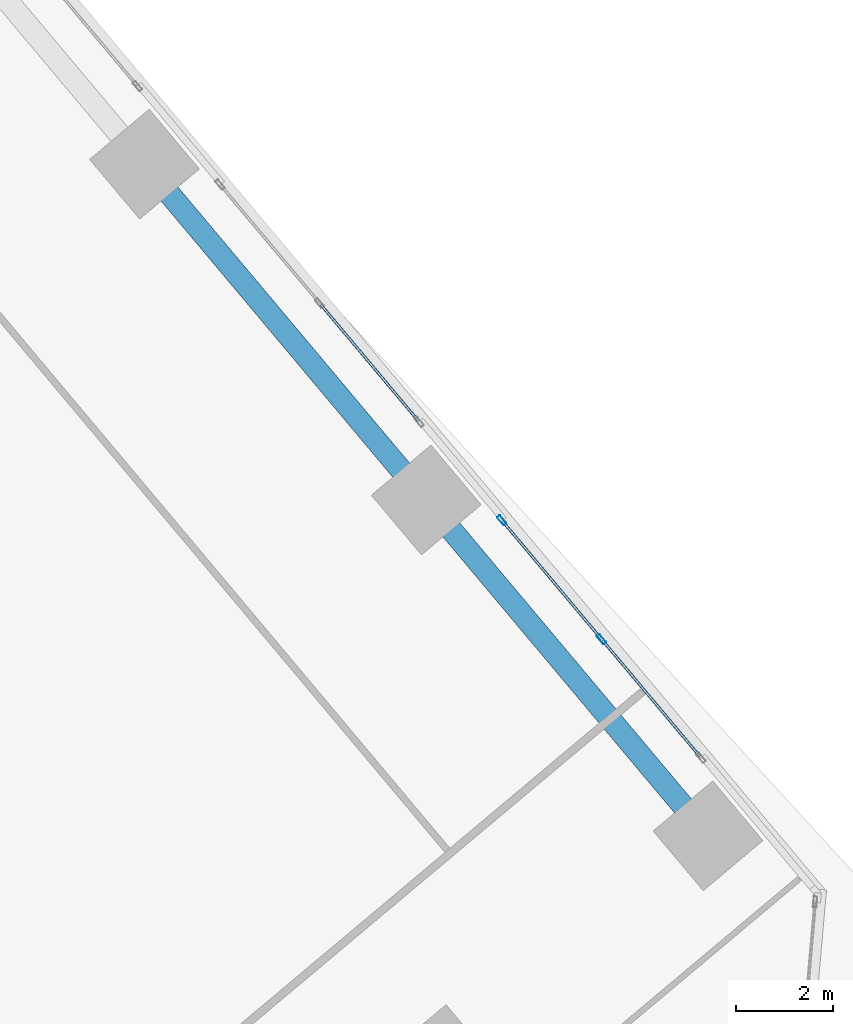
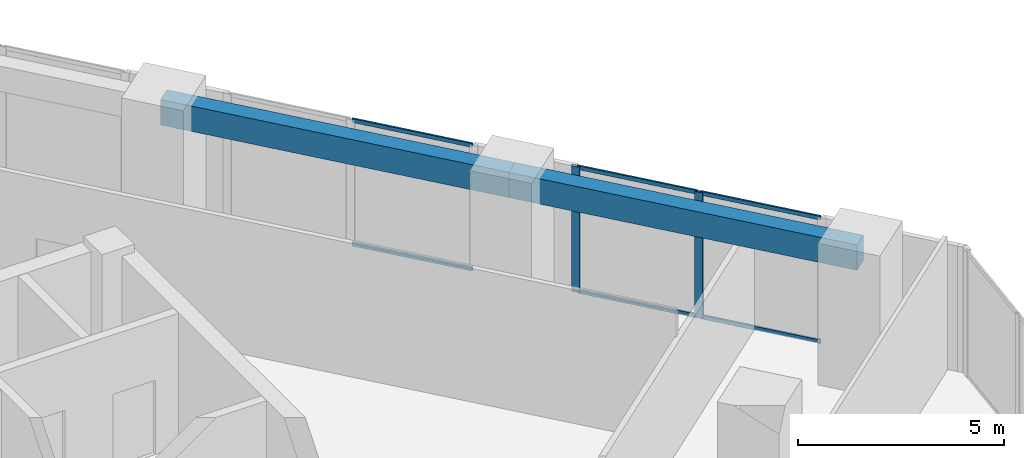
# One storey, part 7 of 17: 8 members, 2 beams, 2 elements without a shape of their own.
"""IFC4 building model written with IfcOpenShell, lengths in metres."""

from ifc_helpers import new_model, si_unit, direction, frame, origin, origin_2d, place, context, subcontext, project, spatial, rectangle, hollow_rectangle, extrude, source, transform, mapped, material, material_profile, profile_set, type_object, element, aggregate, save


model = new_model("IFC4")

# Units and contexts
model_context = context("Model", 3, precision=1e-05, world=origin(), true_north=direction((0.0, 1.0)))
body_context = subcontext(model_context, "Body", "Model", "MODEL_VIEW")
ifc_project = project(units=[si_unit("LENGTHUNIT", "METRE"), si_unit("AREAUNIT", "SQUARE_METRE"), si_unit("VOLUMEUNIT", "CUBIC_METRE"), si_unit("PLANEANGLEUNIT", "RADIAN"), si_unit("MASSUNIT", "GRAM", prefix="KILO")], contexts=[model_context])

# Site, building, storey
site_placement = place(None, origin())
site = spatial("IfcSite", under=ifc_project, at=site_placement, CompositionType="ELEMENT")
building_placement = place(site_placement, origin())
building = spatial("IfcBuilding", under=site, at=building_placement, Name="Torre Montelarca", CompositionType="ELEMENT")
storey_placement = place(building_placement, frame((0.0, 0.0, 266.800048828125)))
storey = spatial("IfcBuildingStorey", under=building, at=storey_placement, Name="L60", CompositionType="ELEMENT", Elevation=266.800048828125)

# Beams
ifc_material_1 = material(Name="Concrete C55/67", Category="concrete")
ifc_material_profile_1 = material_profile(ifc_material_1, rectangle(XDim=0.449951171875, YDim=0.75, at=origin_2d()), Name="RCB450X750", Category="concrete")
ifc_profile_set_1 = profile_set([ifc_material_profile_1], Name="Concrete C55/67")
beam_type = type_object("IfcBeamType", Name="BM-SP-RC750-EXT", PredefinedType="SPANDREL", material=ifc_profile_set_1)
shared_shape_1 = source(origin(), body_context, "Body", "SweptSolid", [
    extrude(rectangle(XDim=0.449951171875, YDim=0.75, at=origin_2d()), origin(), (0.0, 0.0, 1.0), 9.0),
])
beam_1_placement = place(storey_placement, frame((36.640869140625, 37.52490234375, 3.5849609375), z_axis=(0.64279820376, -0.766035553511, 0.0), x_axis=(0.766035553511, 0.64279820376, 0.0)))
element("IfcBeam", 1, at=beam_1_placement, inside=storey, type_object=beam_type, Name="L60 Grid Girder X 27.0-36.0 at Y=47.1", PredefinedType="SPANDREL", context=body_context, shape_type="MappedRepresentation", body=[
    mapped(shared_shape_1, transform((0.0, 0.0, 0.0), scale=1.0)),
])
shared_shape_2 = source(origin(), body_context, "Body", "SweptSolid", [
    extrude(rectangle(XDim=0.449951171875, YDim=0.75, at=origin_2d()), origin(), (0.0, 0.0, 1.0), 9.000244140625),
])
beam_2_placement = place(storey_placement, frame((30.855712890625, 44.41943359375, 3.5849609375), z_axis=(0.642784846501, -0.766046761698, 0.0), x_axis=(0.766046761698, 0.642784846501, 0.0)))
element("IfcBeam", 2, at=beam_2_placement, inside=storey, type_object=beam_type, Name="L60 Grid Girder X 18.0-27.0 at Y=47.1", PredefinedType="SPANDREL", context=body_context, shape_type="MappedRepresentation", body=[
    mapped(shared_shape_2, transform((0.0, 0.0, 0.0), scale=1.0)),
])

# Curtain wall, members
ifc_material_2 = material(Name="Insulated low-E laminated glass", Category="glass")
curtain_wall_type = type_object("IfcCurtainWallType", Name="CW-SYS-Z3", PredefinedType="USERDEFINED", material=ifc_material_2)
curtain_wall_1_placement = place(storey_placement, origin())
curtain_wall_1 = element("IfcCurtainWall", 3, at=curtain_wall_1_placement, inside=storey, type_object=curtain_wall_type, Name="L60 Curtain Wall Run CW-T3-L60-E08-B1", ObjectType="UNITISED GLAZING", PredefinedType="USERDEFINED")
ifc_material_3 = material(Name="Anodised aluminium AA 6063-T6", Category="aluminium")
ifc_material_profile_2 = material_profile(ifc_material_3, hollow_rectangle(XDim=0.074951171875, YDim=0.219970703125, WallThickness=0.0048828125, InnerFilletRadius=0.0048828125, OuterFilletRadius=0.010009765625, at=origin_2d()), Name="ALU75X220X5", Category="aluminium")
ifc_profile_set_2 = profile_set([ifc_material_profile_2], Name="Anodised aluminium AA 6063-T6")
member_type_1 = type_object("IfcMemberType", Name="CWM-ALU220", PredefinedType="MULLION", material=ifc_profile_set_2)
shared_shape_3 = source(origin(), body_context, "Body", "SweptSolid", [
    extrude(hollow_rectangle(XDim=0.074951171875, YDim=0.219970703125, WallThickness=0.0048828125, InnerFilletRadius=0.0048828125, OuterFilletRadius=0.010009765625, at=origin_2d()), origin(), (0.0, 0.0, 1.0), 3.719970703125),
])
member_1_placement = place(storey_placement, frame((40.23828125, 34.669189453125, 0.0), z_axis=(0.0, 0.0, 1.0), x_axis=(-0.766039106979, -0.642793968997, 0.0)))
member_1 = element("IfcMember", 4, at=member_1_placement, type_object=member_type_1, Name="CW mullion 2", PredefinedType="MULLION", context=body_context, shape_type="MappedRepresentation", body=[
    mapped(shared_shape_3, transform((0.0, 0.0, 0.0), scale=1.0)),
])
member_2_placement = place(storey_placement, frame((38.1923828125, 37.107177734375, 0.0), z_axis=(0.0, 0.0, 1.0), x_axis=(-0.766039106979, -0.642793968997, 0.0)))
member_2 = element("IfcMember", 5, at=member_2_placement, type_object=member_type_1, Name="CW mullion 3", PredefinedType="MULLION", context=body_context, shape_type="MappedRepresentation", body=[
    mapped(shared_shape_3, transform((0.0, 0.0, 0.0), scale=1.0)),
])
ifc_material_profile_3 = material_profile(ifc_material_3, hollow_rectangle(XDim=0.054931640625, YDim=0.1201171875, WallThickness=0.00341796875, InnerFilletRadius=0.00341796875, OuterFilletRadius=0.007080078125, at=origin_2d()), Name="ALU55X120X3.5", Category="aluminium")
ifc_profile_set_3 = profile_set([ifc_material_profile_3], Name="Anodised aluminium AA 6063-T6")
member_type_2 = type_object("IfcMemberType", Name="CWT-ALU120", PredefinedType="USERDEFINED", material=ifc_profile_set_3)
shared_shape_4 = source(origin(), body_context, "Body", "SweptSolid", [
    extrude(hollow_rectangle(XDim=0.054931640625, YDim=0.1201171875, WallThickness=0.00341796875, InnerFilletRadius=0.00341796875, OuterFilletRadius=0.007080078125, at=origin_2d()), origin(), (0.0, 0.0, 1.0), 3.107421875),
])
member_3_placement = place(storey_placement, frame((42.259765625, 32.260009765625, 0.02734375), z_axis=(-0.642823505504, 0.766014321519, 0.0), x_axis=(-0.766014321519, -0.642823505504, 0.0)))
member_3 = element("IfcMember", 6, at=member_3_placement, type_object=member_type_2, Name="CW transom 1.1", ObjectType="TRANSOM", PredefinedType="USERDEFINED", context=body_context, shape_type="MappedRepresentation", body=[
    mapped(shared_shape_4, transform((0.0, 0.0, 0.0), scale=1.0)),
])
member_4_placement = place(storey_placement, frame((42.259765625, 32.260009765625, 3.6923828125), z_axis=(-0.642823505504, 0.766014321519, 0.0), x_axis=(-0.766014321519, -0.642823505504, 0.0)))
member_4 = element("IfcMember", 7, at=member_4_placement, type_object=member_type_2, Name="CW transom 1.2", ObjectType="TRANSOM", PredefinedType="USERDEFINED", context=body_context, shape_type="MappedRepresentation", body=[
    mapped(shared_shape_4, transform((0.0, 0.0, 0.0), scale=1.0)),
])
member_5_placement = place(storey_placement, frame((40.214111328125, 34.697998046875, 0.02734375), z_axis=(-0.642823505504, 0.766014321519, 0.0), x_axis=(-0.766014321519, -0.642823505504, 0.0)))
member_5 = element("IfcMember", 8, at=member_5_placement, type_object=member_type_2, Name="CW transom 2.1", ObjectType="TRANSOM", PredefinedType="USERDEFINED", context=body_context, shape_type="MappedRepresentation", body=[
    mapped(shared_shape_4, transform((0.0, 0.0, 0.0), scale=1.0)),
])
member_6_placement = place(storey_placement, frame((40.214111328125, 34.697998046875, 3.6923828125), z_axis=(-0.642823505504, 0.766014321519, 0.0), x_axis=(-0.766014321519, -0.642823505504, 0.0)))
member_6 = element("IfcMember", 9, at=member_6_placement, type_object=member_type_2, Name="CW transom 2.2", ObjectType="TRANSOM", PredefinedType="USERDEFINED", context=body_context, shape_type="MappedRepresentation", body=[
    mapped(shared_shape_4, transform((0.0, 0.0, 0.0), scale=1.0)),
])
aggregate(curtain_wall_1, [member_1, member_2, member_3, member_4, member_5, member_6])

curtain_wall_2_placement = place(storey_placement, origin())
curtain_wall_2 = element("IfcCurtainWall", 10, at=curtain_wall_2_placement, inside=storey, type_object=curtain_wall_type, Name="L60 Curtain Wall Run CW-T3-L60-E08-B2", ObjectType="UNITISED GLAZING", PredefinedType="USERDEFINED")
member_7_placement = place(storey_placement, frame((36.474609375, 39.154296875, 0.02734375), z_axis=(-0.642738715212, 0.766085467795, 0.0), x_axis=(-0.766085467795, -0.642738715212, 0.0)))
member_7 = element("IfcMember", 11, at=member_7_placement, type_object=member_type_2, Name="CW transom 1.1", ObjectType="TRANSOM", PredefinedType="USERDEFINED", context=body_context, shape_type="MappedRepresentation", body=[
    mapped(shared_shape_4, transform((0.0, 0.0, 0.0), scale=1.0)),
])
member_8_placement = place(storey_placement, frame((36.474609375, 39.154296875, 3.6923828125), z_axis=(-0.642738715212, 0.766085467795, 0.0), x_axis=(-0.766085467795, -0.642738715212, 0.0)))
member_8 = element("IfcMember", 12, at=member_8_placement, type_object=member_type_2, Name="CW transom 1.2", ObjectType="TRANSOM", PredefinedType="USERDEFINED", context=body_context, shape_type="MappedRepresentation", body=[
    mapped(shared_shape_4, transform((0.0, 0.0, 0.0), scale=1.0)),
])
aggregate(curtain_wall_2, [member_7, member_8])

save(model, "model.ifc")
